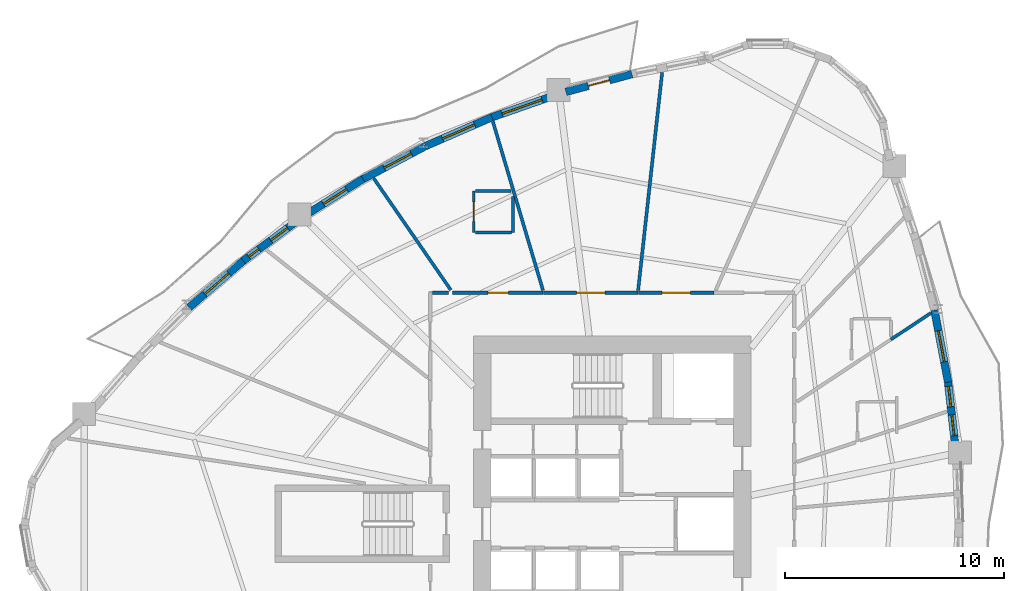
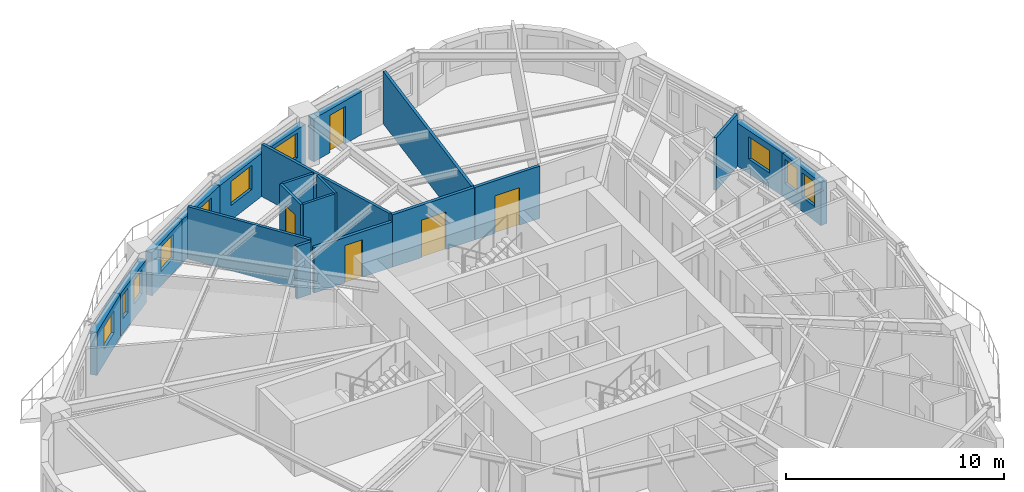
# One storey, part 8 of 13: 21 walls, 10 windows, 5 doors, 15 openings.
"""IFC4 building model written with IfcOpenShell, lengths in metres."""

from ifc_helpers import new_model, si_unit, direction, frame, frame_2d, origin, place, context, subcontext, project, spatial, rectangle, extrude, source, transform, mapped, material, layer, layer_set, type_object, element, fill, save


model = new_model("IFC4")

# Units and contexts
model_context = context("Model", 3, precision=1e-05, world=origin(), true_north=direction((0.0, 1.0)))
body_context = subcontext(model_context, "Body", "Model", "MODEL_VIEW")
ifc_project = project(units=[si_unit("LENGTHUNIT", "METRE"), si_unit("AREAUNIT", "SQUARE_METRE"), si_unit("VOLUMEUNIT", "CUBIC_METRE"), si_unit("PLANEANGLEUNIT", "RADIAN"), si_unit("MASSUNIT", "GRAM", prefix="KILO")], contexts=[model_context])

# Site, building, storey
site_placement = place(None, origin())
site = spatial("IfcSite", under=ifc_project, at=site_placement, CompositionType="ELEMENT")
building_placement = place(site_placement, origin())
building = spatial("IfcBuilding", under=site, at=building_placement, Name="Qafzar Sky-Pleat Residences", CompositionType="ELEMENT")
storey_placement = place(building_placement, frame((0.0, 0.0, 59.0)))
storey = spatial("IfcBuildingStorey", under=building, at=storey_placement, Name="L17", CompositionType="ELEMENT", Elevation=59.0)

# Wall, opening, door
ifc_material_1 = material(Name="Acoustic gypsum plasterboard partition", Category="gypsum")
ifc_layer_1 = layer(ifc_material_1, 0.159912109375)
ifc_layer_set_1 = layer_set([ifc_layer_1], Name="Acoustic gypsum plasterboard partition")
wall_type_1 = type_object("IfcWallType", Name="PART-COR-160", PredefinedType="PARTITIONING", material=ifc_layer_set_1)
wall_1_placement = place(storey_placement, frame((27.19189453125, 36.580078125, 0.0), z_axis=(0.0, 0.0, 1.0), x_axis=(1.0, 0.0, 0.0)))
wall_1 = element("IfcWall", 1, at=wall_1_placement, inside=storey, type_object=wall_type_1, Name="L17 Partition Wall PART-L17-PW-002", PredefinedType="PARTITIONING", context=body_context, shape_type="SweptSolid", body=[
    extrude(rectangle(XDim=4.339111328125, YDim=0.159912109375, at=frame_2d((2.16943359375, 0.0))), origin(), (0.0, 0.0, 1.0), 2.93994140625),
])
opening_1_placement = place(wall_1_placement, frame((1.52001953125, 0.0, 0.0)))
opening_1 = element("IfcOpeningElement", 2, at=opening_1_placement, cuts=wall_1, Name="Opening ID-05", PredefinedType="OPENING", context=body_context, shape_type="SweptSolid", body=[
    extrude(rectangle(XDim=1.300048828125, YDim=2.10009765625, at=frame_2d((0.64990234375, 1.050048828125))), frame((0.0, 0.08984375, 0.0), z_axis=(0.0, -1.0, 0.0), x_axis=(1.0, 0.0, 0.0)), (0.0, 0.0, 1.0), 0.179931640625),
])
ifc_material_2 = material(Name="Timber-faced fire door", Category="wood")
door_type_1 = type_object("IfcDoorType", Name="DR-LNG-1300", OperationType="DOUBLE_DOOR_SINGLE_SWING", PredefinedType="DOOR", material=ifc_material_2)
shared_shape_1 = source(origin(), body_context, "Body", "SweptSolid", [
    extrude(rectangle(XDim=1.300048828125, YDim=2.10009765625, at=frame_2d((0.64990234375, 1.050048828125))), frame((0.0, 0.02490234375, 0.0), z_axis=(0.0, -1.0, 0.0), x_axis=(1.0, 0.0, 0.0)), (0.0, 0.0, 1.0), 0.050048828125),
])
door_1_placement = place(opening_1_placement, origin())
door_1 = element("IfcDoor", 3, at=door_1_placement, inside=storey, type_object=door_type_1, Name="L17 Graduate Lecture Room Door", OperationType="DOUBLE_DOOR_SINGLE_SWING", OverallHeight=2.10009765625, OverallWidth=1.300048828125, PredefinedType="DOOR", context=body_context, shape_type="MappedRepresentation", body=[
    mapped(shared_shape_1, transform((0.0, 0.0, 0.0), x_axis=(1.0, 0.0, 0.0), y_axis=(0.0, 1.0, 0.0), z_axis=(0.0, 0.0, 1.0), scale=1.0)),
])
fill(opening_1, door_1)

wall_2_placement = place(storey_placement, frame((23.02490234375, 36.580078125, 0.0), z_axis=(0.0, 0.0, 1.0), x_axis=(1.0, 0.0, 0.0)))
wall_2 = element("IfcWall", 4, at=wall_2_placement, inside=storey, type_object=wall_type_1, Name="L17 Partition Wall PART-L17-PW-003", PredefinedType="PARTITIONING", context=body_context, shape_type="SweptSolid", body=[
    extrude(rectangle(XDim=4.152099609375, YDim=0.159912109375, at=frame_2d((2.076171875, 0.0))), origin(), (0.0, 0.0, 1.0), 2.548095703125),
])
opening_2_placement = place(wall_2_placement, frame((1.640380859375, 0.0, 0.0)))
opening_2 = element("IfcOpeningElement", 5, at=opening_2_placement, cuts=wall_2, Name="Opening ID-04", PredefinedType="OPENING", context=body_context, shape_type="SweptSolid", body=[
    extrude(rectangle(XDim=0.919921875, YDim=2.10009765625, at=frame_2d((0.4599609375, 1.050048828125))), frame((0.0, 0.08984375, 0.0), z_axis=(0.0, -1.0, 0.0), x_axis=(1.0, 0.0, 0.0)), (0.0, 0.0, 1.0), 0.179931640625),
])
door_type_2 = type_object("IfcDoorType", Name="DR-BED-920", OperationType="NOTDEFINED", PredefinedType="DOOR", material=ifc_material_2)
shared_shape_2 = source(origin(), body_context, "Body", "SweptSolid", [
    extrude(rectangle(XDim=0.919921875, YDim=2.10009765625, at=frame_2d((0.4599609375, 1.050048828125))), frame((0.0, 0.02490234375, 0.0), z_axis=(0.0, -1.0, 0.0), x_axis=(1.0, 0.0, 0.0)), (0.0, 0.0, 1.0), 0.050048828125),
])
door_2_placement = place(opening_2_placement, origin())
door_2 = element("IfcDoor", 6, at=door_2_placement, inside=storey, type_object=door_type_2, Name="L17 Co-Living Bedroom 9 Door", OperationType="SINGLE_SWING_LEFT", OverallHeight=2.10009765625, OverallWidth=0.919921875, PredefinedType="DOOR", context=body_context, shape_type="MappedRepresentation", body=[
    mapped(shared_shape_2, transform((0.0, 0.0, 0.0), x_axis=(1.0, 0.0, 0.0), y_axis=(0.0, 1.0, 0.0), z_axis=(0.0, 0.0, 1.0), scale=1.0)),
])
fill(opening_2, door_2)

wall_3_placement = place(storey_placement, frame((31.5458984375, 36.580078125, 0.0), z_axis=(0.0, 0.0, 1.0), x_axis=(1.0, 0.0, 0.0)))
wall_3 = element("IfcWall", 7, at=wall_3_placement, inside=storey, type_object=wall_type_1, Name="L17 Partition Wall PART-L17-PW-006", PredefinedType="PARTITIONING", context=body_context, shape_type="SweptSolid", body=[
    extrude(rectangle(XDim=3.4501953125, YDim=0.159912109375, at=frame_2d((1.72509765625, 0.0))), origin(), (0.0, 0.0, 1.0), 2.93994140625),
])
opening_3_placement = place(wall_3_placement, frame((1.075439453125, 0.0, 0.0)))
opening_3 = element("IfcOpeningElement", 8, at=opening_3_placement, cuts=wall_3, Name="Opening ID-05", PredefinedType="OPENING", context=body_context, shape_type="SweptSolid", body=[
    extrude(rectangle(XDim=1.300048828125, YDim=2.10009765625, at=frame_2d((0.64990234375, 1.050048828125))), frame((0.0, 0.08984375, 0.0), z_axis=(0.0, -1.0, 0.0), x_axis=(1.0, 0.0, 0.0)), (0.0, 0.0, 1.0), 0.179931640625),
])
door_3_placement = place(opening_3_placement, origin())
door_3 = element("IfcDoor", 9, at=door_3_placement, inside=storey, type_object=door_type_1, Name="L17 Research Conference Room Door", OperationType="DOUBLE_DOOR_SINGLE_SWING", OverallHeight=2.10009765625, OverallWidth=1.300048828125, PredefinedType="DOOR", context=body_context, shape_type="MappedRepresentation", body=[
    mapped(shared_shape_1, transform((0.0, 0.0, 0.0), x_axis=(1.0, 0.0, 0.0), y_axis=(0.0, 1.0, 0.0), z_axis=(0.0, 0.0, 1.0), scale=1.0)),
])
fill(opening_3, door_3)

# Walls
wall_4_placement = place(storey_placement, frame((22.10791015625, 36.580078125, 0.0), z_axis=(0.0, 0.0, 1.0), x_axis=(1.0, 0.0, 0.0)))
element("IfcWall", 10, at=wall_4_placement, inside=storey, type_object=wall_type_1, Name="L17 Partition Wall PART-L17-PW-082", PredefinedType="PARTITIONING", context=body_context, shape_type="SweptSolid", body=[
    extrude(rectangle(XDim=0.750732421875, YDim=0.159912109375, at=frame_2d((0.37548828125, 0.0))), origin(), (0.0, 0.0, 1.0), 2.93994140625),
])
ifc_layer_2 = layer(ifc_material_1, 0.14501953125)
ifc_layer_set_2 = layer_set([ifc_layer_2], Name="Acoustic gypsum plasterboard partition")
wall_type_2 = type_object("IfcWallType", Name="PART-UNIT-145", PredefinedType="PARTITIONING", material=ifc_layer_set_2)
wall_5_placement = place(storey_placement, frame((31.526611328125, 36.67578125, 0.0), z_axis=(0.0, 0.0, 1.0), x_axis=(0.109575491405, 0.993978476469, 0.0)))
element("IfcWall", 11, at=wall_5_placement, inside=storey, type_object=wall_type_2, Name="L17 Partition Wall PART-L17-PW-037", PredefinedType="PARTITIONING", context=body_context, shape_type="SweptSolid", body=[
    extrude(rectangle(XDim=10.048583984375, YDim=0.14501953125, at=frame_2d((5.0244140625, 0.0))), origin(), (0.0, 0.0, 1.0), 2.93994140625),
])
wall_6_placement = place(storey_placement, frame((24.87939453125, 44.42236328125, 0.0), z_axis=(0.0, 0.0, 1.0), x_axis=(0.284634354208, -0.958636158511, 0.0)))
element("IfcWall", 12, at=wall_6_placement, inside=storey, type_object=wall_type_2, Name="L17 Partition Wall PART-L17-PW-043", PredefinedType="PARTITIONING", context=body_context, shape_type="SweptSolid", body=[
    extrude(rectangle(XDim=8.06787109375, YDim=0.14501953125, at=frame_2d((4.033935546875, 0.0))), origin(), (0.0, 0.0, 1.0), 2.93994140625),
])
wall_7_placement = place(storey_placement, frame((19.42333984375, 41.82275390625, 0.0), z_axis=(0.0, 0.0, 1.0), x_axis=(0.568159686118, -0.822918325881, 0.0)))
element("IfcWall", 13, at=wall_7_placement, inside=storey, type_object=wall_type_2, Name="L17 Partition Wall PART-L17-PW-048", PredefinedType="PARTITIONING", context=body_context, shape_type="SweptSolid", body=[
    extrude(rectangle(XDim=6.215576171875, YDim=0.14501953125, at=frame_2d((3.10791015625, 0.0))), origin(), (0.0, 0.0, 1.0), 2.93994140625),
])
wall_8_placement = place(storey_placement, frame((43.093994140625, 34.43896484375, 0.0), z_axis=(0.0, 0.0, 1.0), x_axis=(0.833690342454, 0.552232209219, 0.0)))
element("IfcWall", 14, at=wall_8_placement, inside=storey, type_object=wall_type_2, Name="L17 Partition Wall PART-L17-PW-059", PredefinedType="PARTITIONING", context=body_context, shape_type="SweptSolid", body=[
    extrude(rectangle(XDim=2.193603515625, YDim=0.14501953125, at=frame_2d((1.0966796875, 0.0))), origin(), (0.0, 0.0, 1.0), 2.93994140625),
])

# Wall, opening, door
ifc_material_3 = material(Name="Moisture-resistant gypsum partition", Category="gypsum")
ifc_layer_3 = layer(ifc_material_3, 0.1298828125)
ifc_layer_set_3 = layer_set([ifc_layer_3], Name="Moisture-resistant gypsum partition")
wall_type_3 = type_object("IfcWallType", Name="PART-WET-130", PredefinedType="PARTITIONING", material=ifc_layer_set_3)
wall_9_placement = place(storey_placement, frame((24.0029296875, 41.23388671875, 0.0), z_axis=(0.0, 0.0, 1.0), x_axis=(0.0, -1.0, 0.0)))
wall_9 = element("IfcWall", 15, at=wall_9_placement, inside=storey, type_object=wall_type_3, Name="L17 Partition Wall PART-L17-PW-024", PredefinedType="PARTITIONING", context=body_context, shape_type="SweptSolid", body=[
    extrude(rectangle(XDim=1.89990234375, YDim=0.1298828125, at=frame_2d((0.949951171875, 0.0))), origin(), (0.0, 0.0, 1.0), 2.93994140625),
])
opening_4_placement = place(wall_9_placement, frame((0.510009765625, 0.0, 0.0)))
opening_4 = element("IfcOpeningElement", 16, at=opening_4_placement, cuts=wall_9, Name="Opening ID-07", PredefinedType="OPENING", context=body_context, shape_type="SweptSolid", body=[
    extrude(rectangle(XDim=0.8798828125, YDim=2.050048828125, at=frame_2d((0.43994140625, 1.02490234375))), frame((0.0, 0.074951171875, 0.0), z_axis=(0.0, -1.0, 0.0), x_axis=(1.0, 0.0, 0.0)), (0.0, 0.0, 1.0), 0.14990234375),
])
door_type_3 = type_object("IfcDoorType", Name="DR-WET-880", OperationType="NOTDEFINED", PredefinedType="DOOR", material=ifc_material_2)
shared_shape_3 = source(origin(), body_context, "Body", "SweptSolid", [
    extrude(rectangle(XDim=0.8798828125, YDim=2.050048828125, at=frame_2d((0.43994140625, 1.02490234375))), frame((0.0, 0.02490234375, 0.0), z_axis=(0.0, -1.0, 0.0), x_axis=(1.0, 0.0, 0.0)), (0.0, 0.0, 1.0), 0.050048828125),
])
door_4_placement = place(opening_4_placement, origin())
door_4 = element("IfcDoor", 17, at=door_4_placement, inside=storey, type_object=door_type_3, Name="L17 En-suite Bathroom 9 Door", OperationType="SINGLE_SWING_RIGHT", OverallHeight=2.050048828125, OverallWidth=0.8798828125, PredefinedType="DOOR", context=body_context, shape_type="MappedRepresentation", body=[
    mapped(shared_shape_3, transform((0.0, 0.0, 0.0), x_axis=(1.0, 0.0, 0.0), y_axis=(0.0, 1.0, 0.0), z_axis=(0.0, 0.0, 1.0), scale=1.0)),
])
fill(opening_4, door_4)

# Walls
wall_10_placement = place(storey_placement, frame((25.802978515625, 39.333984375, 0.0), z_axis=(0.0, 0.0, 1.0), x_axis=(0.0, 1.0, 0.0)))
element("IfcWall", 18, at=wall_10_placement, inside=storey, type_object=wall_type_3, Name="L17 Partition Wall PART-L17-PW-061", PredefinedType="PARTITIONING", context=body_context, shape_type="SweptSolid", body=[
    extrude(rectangle(XDim=1.659912109375, YDim=0.1298828125, at=frame_2d((0.830078125, 0.0))), origin(), (0.0, 0.0, 1.0), 2.93994140625),
])
wall_11_placement = place(storey_placement, frame((24.075927734375, 41.23388671875, 0.0), z_axis=(0.0, 0.0, 1.0), x_axis=(1.0, 0.0, 0.0)))
element("IfcWall", 19, at=wall_11_placement, inside=storey, type_object=wall_type_3, Name="L17 Partition Wall PART-L17-PW-066", PredefinedType="PARTITIONING", context=body_context, shape_type="SweptSolid", body=[
    extrude(rectangle(XDim=1.624267578125, YDim=0.1298828125, at=frame_2d((0.81201171875, 0.0))), origin(), (0.0, 0.0, 1.0), 2.93994140625),
])
wall_12_placement = place(storey_placement, frame((24.075927734375, 39.333984375, 0.0), z_axis=(0.0, 0.0, 1.0), x_axis=(1.0, 0.0, 0.0)))
element("IfcWall", 20, at=wall_12_placement, inside=storey, type_object=wall_type_3, Name="L17 Partition Wall PART-L17-PW-067", PredefinedType="PARTITIONING", context=body_context, shape_type="SweptSolid", body=[
    extrude(rectangle(XDim=1.654052734375, YDim=0.1298828125, at=frame_2d((0.8271484375, 0.0))), origin(), (0.0, 0.0, 1.0), 2.93994140625),
])

# Wall, openings, windows
ifc_material_4 = material(Name="Precast concrete C40/50 with honed Riyadh limestone", Category="concrete")
ifc_layer_4 = layer(ifc_material_4, 0.35009765625)
ifc_layer_set_4 = layer_set([ifc_layer_4], Name="Precast concrete C40/50 with honed Riyadh limestone")
wall_type_4 = type_object("IfcWallType", Name="WALL-EXT-350", PredefinedType="SOLIDWALL", material=ifc_layer_set_4)
wall_13_placement = place(storey_placement, frame((46.044189453125, 29.55615234375, 0.0), z_axis=(0.0, 0.0, 1.0), x_axis=(-0.113263196818, 0.993565019637, 0.0)))
wall_13 = element("IfcWall", 21, at=wall_13_placement, inside=storey, type_object=wall_type_4, Name="L17 Limestone Facade Wall 29", PredefinedType="SOLIDWALL", context=body_context, shape_type="SweptSolid", body=[
    extrude(rectangle(XDim=3.037109375, YDim=0.35009765625, at=frame_2d((1.5185546875, 0.0))), origin(), (0.0, 0.0, 1.0), 2.419921875),
])
opening_5_placement = place(wall_13_placement, frame((0.492431640625, 0.0, 0.820068359375)))
opening_5 = element("IfcOpeningElement", 22, at=opening_5_placement, cuts=wall_13, Name="Opening WN-12", PredefinedType="OPENING", context=body_context, shape_type="SweptSolid", body=[
    extrude(rectangle(XDim=0.949951171875, YDim=1.35009765625, at=frame_2d((0.47509765625, 0.675048828125))), frame((0.0, 0.18505859375, 0.0), z_axis=(0.0, -1.0, 0.0), x_axis=(1.0, 0.0, 0.0)), (0.0, 0.0, 1.0), 0.3701171875),
])
opening_6_placement = place(wall_13_placement, frame((1.816162109375, 0.0, 0.820068359375)))
opening_6 = element("IfcOpeningElement", 23, at=opening_6_placement, cuts=wall_13, Name="Opening WN-12", PredefinedType="OPENING", context=body_context, shape_type="SweptSolid", body=[
    extrude(rectangle(XDim=0.949951171875, YDim=1.35009765625, at=frame_2d((0.47509765625, 0.675048828125))), frame((0.0, 0.18505859375, 0.0), z_axis=(0.0, -1.0, 0.0), x_axis=(1.0, 0.0, 0.0)), (0.0, 0.0, 1.0), 0.3701171875),
])
ifc_material_5 = material(Name="Solar-control low-E glass in bronze aluminium frame", Category="glass")
window_type_1 = type_object("IfcWindowType", Name="WIN-12", PartitioningType="SINGLE_PANEL", PredefinedType="WINDOW", material=ifc_material_5)
shared_shape_4 = source(origin(), body_context, "Body", "SweptSolid", [
    extrude(rectangle(XDim=0.949951171875, YDim=1.35009765625, at=frame_2d((0.47509765625, 0.675048828125))), frame((0.0, 0.030029296875, 0.0), z_axis=(0.0, -1.0, 0.0), x_axis=(1.0, 0.0, 0.0)), (0.0, 0.0, 1.0), 0.06005859375),
])
window_1_placement = place(opening_5_placement, origin())
window_1 = element("IfcWindow", 24, at=window_1_placement, inside=storey, type_object=window_type_1, Name="L17 Punched Facade Window 29", OverallHeight=1.35009765625, OverallWidth=0.949951171875, PartitioningType="SINGLE_PANEL", PredefinedType="WINDOW", context=body_context, shape_type="MappedRepresentation", body=[
    mapped(shared_shape_4, transform((0.0, 0.0, 0.0), x_axis=(1.0, 0.0, 0.0), y_axis=(0.0, 1.0, 0.0), z_axis=(0.0, 0.0, 1.0), scale=1.0)),
])
fill(opening_5, window_1)
window_2_placement = place(opening_6_placement, origin())
window_2 = element("IfcWindow", 25, at=window_2_placement, inside=storey, type_object=window_type_1, Name="L17 Punched Facade Window 29-2", OverallHeight=1.35009765625, OverallWidth=0.949951171875, PartitioningType="SINGLE_PANEL", PredefinedType="WINDOW", context=body_context, shape_type="MappedRepresentation", body=[
    mapped(shared_shape_4, transform((0.0, 0.0, 0.0), x_axis=(1.0, 0.0, 0.0), y_axis=(0.0, 1.0, 0.0), z_axis=(0.0, 0.0, 1.0), scale=1.0)),
])
fill(opening_6, window_2)

# Wall, opening, window
wall_14_placement = place(storey_placement, frame((45.71337890625, 32.48583984375, 0.0), z_axis=(0.0, 0.0, 1.0), x_axis=(-0.186603748992, 0.982435260392, 0.0)))
wall_14 = element("IfcWall", 26, at=wall_14_placement, inside=storey, type_object=wall_type_4, Name="L17 Limestone Facade Wall 30", PredefinedType="SOLIDWALL", context=body_context, shape_type="SweptSolid", body=[
    extrude(rectangle(XDim=3.3544921875, YDim=0.35009765625, at=frame_2d((1.67724609375, 0.0))), origin(), (0.0, 0.0, 1.0), 2.419921875),
])
opening_7_placement = place(wall_14_placement, frame((0.94775390625, 0.0, 0.820068359375)))
opening_7 = element("IfcOpeningElement", 27, at=opening_7_placement, cuts=wall_14, Name="Opening WN-15", PredefinedType="OPENING", context=body_context, shape_type="SweptSolid", body=[
    extrude(rectangle(XDim=1.449951171875, YDim=1.25, at=frame_2d((0.72509765625, 0.625))), frame((0.0, 0.18505859375, 0.0), z_axis=(0.0, -1.0, 0.0), x_axis=(1.0, 0.0, 0.0)), (0.0, 0.0, 1.0), 0.3701171875),
])
window_type_2 = type_object("IfcWindowType", Name="WIN-15", PartitioningType="SINGLE_PANEL", PredefinedType="WINDOW", material=ifc_material_5)
shared_shape_5 = source(origin(), body_context, "Body", "SweptSolid", [
    extrude(rectangle(XDim=1.449951171875, YDim=1.25, at=frame_2d((0.72509765625, 0.625))), frame((0.0, 0.030029296875, 0.0), z_axis=(0.0, -1.0, 0.0), x_axis=(1.0, 0.0, 0.0)), (0.0, 0.0, 1.0), 0.06005859375),
])
window_3_placement = place(opening_7_placement, origin())
window_3 = element("IfcWindow", 28, at=window_3_placement, inside=storey, type_object=window_type_2, Name="L17 Punched Facade Window 30", OverallHeight=1.25, OverallWidth=1.449951171875, PartitioningType="SINGLE_PANEL", PredefinedType="WINDOW", context=body_context, shape_type="MappedRepresentation", body=[
    mapped(shared_shape_5, transform((0.0, 0.0, 0.0), x_axis=(1.0, 0.0, 0.0), y_axis=(0.0, 1.0, 0.0), z_axis=(0.0, 0.0, 1.0), scale=1.0)),
])
fill(opening_7, window_3)

# Wall, opening, door
wall_15_placement = place(storey_placement, frame((31.24560546875, 46.585205078125, 0.0), z_axis=(0.0, 0.0, 1.0), x_axis=(-0.965469506164, -0.260516089076, 0.0)))
wall_15 = element("IfcWall", 29, at=wall_15_placement, inside=storey, type_object=wall_type_4, Name="L17 Limestone Facade Wall 40", PredefinedType="SOLIDWALL", context=body_context, shape_type="SweptSolid", body=[
    extrude(rectangle(XDim=3.130126953125, YDim=0.35009765625, at=frame_2d((1.56494140625, 0.0))), origin(), (0.0, 0.0, 1.0), 2.419921875),
])
opening_8_placement = place(wall_15_placement, frame((1.06494140625, 0.0, 0.0)))
opening_8 = element("IfcOpeningElement", 30, at=opening_8_placement, cuts=wall_15, Name="Opening ED-05", PredefinedType="OPENING", context=body_context, shape_type="SweptSolid", body=[
    extrude(rectangle(XDim=1.0, YDim=2.10009765625, at=frame_2d((0.5, 1.050048828125))), frame((0.0, 0.18505859375, 0.0), z_axis=(0.0, -1.0, 0.0), x_axis=(1.0, 0.0, 0.0)), (0.0, 0.0, 1.0), 0.3701171875),
])
ifc_material_6 = material(Name="Glazed bronze aluminium door", Category="aluminium")
door_type_4 = type_object("IfcDoorType", Name="DR-BAL-1000", OperationType="NOTDEFINED", PredefinedType="DOOR", material=ifc_material_6)
shared_shape_6 = source(origin(), body_context, "Body", "SweptSolid", [
    extrude(rectangle(XDim=1.0, YDim=2.10009765625, at=frame_2d((0.5, 1.050048828125))), frame((0.0, 0.02490234375, 0.0), z_axis=(0.0, -1.0, 0.0), x_axis=(1.0, 0.0, 0.0)), (0.0, 0.0, 1.0), 0.050048828125),
])
door_5_placement = place(opening_8_placement, origin())
door_5 = element("IfcDoor", 31, at=door_5_placement, inside=storey, type_object=door_type_4, Name="L17 Glazed Balcony Door 2", OperationType="SINGLE_SWING_LEFT", OverallHeight=2.10009765625, OverallWidth=1.0, PredefinedType="DOOR", context=body_context, shape_type="MappedRepresentation", body=[
    mapped(shared_shape_6, transform((0.0, 0.0, 0.0), x_axis=(1.0, 0.0, 0.0), y_axis=(0.0, 1.0, 0.0), z_axis=(0.0, 0.0, 1.0), scale=1.0)),
])
fill(opening_8, door_5)

# Wall, opening, window
wall_16_placement = place(storey_placement, frame((27.662841796875, 45.596435546875, 0.0), z_axis=(0.0, 0.0, 1.0), x_axis=(-0.944134113087, -0.329561491236, 0.0)))
wall_16 = element("IfcWall", 32, at=wall_16_placement, inside=storey, type_object=wall_type_4, Name="L17 Limestone Facade Wall 41", PredefinedType="SOLIDWALL", context=body_context, shape_type="SweptSolid", body=[
    extrude(rectangle(XDim=3.07421875, YDim=0.35009765625, at=frame_2d((1.537109375, 0.0))), origin(), (0.0, 0.0, 1.0), 2.419921875),
])
opening_9_placement = place(wall_16_placement, frame((0.557373046875, 0.0, 0.820068359375)))
opening_9 = element("IfcOpeningElement", 33, at=opening_9_placement, cuts=wall_16, Name="Opening WN-08", PredefinedType="OPENING", context=body_context, shape_type="SweptSolid", body=[
    extrude(rectangle(XDim=1.949951171875, YDim=1.39990234375, at=frame_2d((0.97509765625, 0.699951171875))), frame((0.0, 0.18505859375, 0.0), z_axis=(0.0, -1.0, 0.0), x_axis=(1.0, 0.0, 0.0)), (0.0, 0.0, 1.0), 0.3701171875),
])
window_type_3 = type_object("IfcWindowType", Name="WIN-08", PartitioningType="DOUBLE_PANEL_VERTICAL", PredefinedType="WINDOW", material=ifc_material_5)
shared_shape_7 = source(origin(), body_context, "Body", "SweptSolid", [
    extrude(rectangle(XDim=1.949951171875, YDim=1.39990234375, at=frame_2d((0.97509765625, 0.699951171875))), frame((0.0, 0.030029296875, 0.0), z_axis=(0.0, -1.0, 0.0), x_axis=(1.0, 0.0, 0.0)), (0.0, 0.0, 1.0), 0.06005859375),
])
window_4_placement = place(opening_9_placement, origin())
window_4 = element("IfcWindow", 34, at=window_4_placement, inside=storey, type_object=window_type_3, Name="L17 Punched Facade Window 41", OverallHeight=1.39990234375, OverallWidth=1.949951171875, PartitioningType="SINGLE_PANEL", PredefinedType="WINDOW", context=body_context, shape_type="MappedRepresentation", body=[
    mapped(shared_shape_7, transform((0.0, 0.0, 0.0), x_axis=(1.0, 0.0, 0.0), y_axis=(0.0, 1.0, 0.0), z_axis=(0.0, 0.0, 1.0), scale=1.0)),
])
fill(opening_9, window_4)

wall_17_placement = place(storey_placement, frame((24.843017578125, 44.615478515625, 0.0), z_axis=(0.0, 0.0, 1.0), x_axis=(-0.917119193404, -0.398613076918, 0.0)))
wall_17 = element("IfcWall", 35, at=wall_17_placement, inside=storey, type_object=wall_type_4, Name="L17 Limestone Facade Wall 42", PredefinedType="SOLIDWALL", context=body_context, shape_type="SweptSolid", body=[
    extrude(rectangle(XDim=3.317138671875, YDim=0.35009765625, at=frame_2d((1.65869140625, 0.0))), origin(), (0.0, 0.0, 1.0), 2.419921875),
])
opening_10_placement = place(wall_17_placement, frame((0.86865234375, 0.0, 0.820068359375)))
opening_10 = element("IfcOpeningElement", 36, at=opening_10_placement, cuts=wall_17, Name="Opening WN-09", PredefinedType="OPENING", context=body_context, shape_type="SweptSolid", body=[
    extrude(rectangle(XDim=1.60009765625, YDim=1.35009765625, at=frame_2d((0.800048828125, 0.675048828125))), frame((0.0, 0.18505859375, 0.0), z_axis=(0.0, -1.0, 0.0), x_axis=(1.0, 0.0, 0.0)), (0.0, 0.0, 1.0), 0.3701171875),
])
window_type_4 = type_object("IfcWindowType", Name="WIN-09", PartitioningType="DOUBLE_PANEL_VERTICAL", PredefinedType="WINDOW", material=ifc_material_5)
shared_shape_8 = source(origin(), body_context, "Body", "SweptSolid", [
    extrude(rectangle(XDim=1.60009765625, YDim=1.35009765625, at=frame_2d((0.800048828125, 0.675048828125))), frame((0.0, 0.030029296875, 0.0), z_axis=(0.0, -1.0, 0.0), x_axis=(1.0, 0.0, 0.0)), (0.0, 0.0, 1.0), 0.06005859375),
])
window_5_placement = place(opening_10_placement, origin())
window_5 = element("IfcWindow", 37, at=window_5_placement, inside=storey, type_object=window_type_4, Name="L17 Punched Facade Window 42", OverallHeight=1.35009765625, OverallWidth=1.60009765625, PartitioningType="SINGLE_PANEL", PredefinedType="WINDOW", context=body_context, shape_type="MappedRepresentation", body=[
    mapped(shared_shape_8, transform((0.0, 0.0, 0.0), x_axis=(1.0, 0.0, 0.0), y_axis=(0.0, 1.0, 0.0), z_axis=(0.0, 0.0, 1.0), scale=1.0)),
])
fill(opening_10, window_5)

wall_18_placement = place(storey_placement, frame((21.77685546875, 43.281494140625, 0.0), z_axis=(0.0, 0.0, 1.0), x_axis=(-0.884381357857, -0.466765052113, 0.0)))
wall_18 = element("IfcWall", 38, at=wall_18_placement, inside=storey, type_object=wall_type_4, Name="L17 Limestone Facade Wall 43", PredefinedType="SOLIDWALL", context=body_context, shape_type="SweptSolid", body=[
    extrude(rectangle(XDim=3.29833984375, YDim=0.35009765625, at=frame_2d((1.649169921875, 0.0))), origin(), (0.0, 0.0, 1.0), 2.419921875),
])
opening_11_placement = place(wall_18_placement, frame((0.712646484375, 0.0, 0.820068359375)))
opening_11 = element("IfcOpeningElement", 39, at=opening_11_placement, cuts=wall_18, Name="Opening WN-10", PredefinedType="OPENING", context=body_context, shape_type="SweptSolid", body=[
    extrude(rectangle(XDim=1.39990234375, YDim=1.35009765625, at=frame_2d((0.699951171875, 0.675048828125))), frame((0.0, 0.18505859375, 0.0), z_axis=(0.0, -1.0, 0.0), x_axis=(1.0, 0.0, 0.0)), (0.0, 0.0, 1.0), 0.3701171875),
])
window_type_5 = type_object("IfcWindowType", Name="WIN-10", PartitioningType="SINGLE_PANEL", PredefinedType="WINDOW", material=ifc_material_5)
shared_shape_9 = source(origin(), body_context, "Body", "SweptSolid", [
    extrude(rectangle(XDim=1.39990234375, YDim=1.35009765625, at=frame_2d((0.699951171875, 0.675048828125))), frame((0.0, 0.030029296875, 0.0), z_axis=(0.0, -1.0, 0.0), x_axis=(1.0, 0.0, 0.0)), (0.0, 0.0, 1.0), 0.06005859375),
])
window_6_placement = place(opening_11_placement, origin())
window_6 = element("IfcWindow", 40, at=window_6_placement, inside=storey, type_object=window_type_5, Name="L17 Punched Facade Window 43", OverallHeight=1.35009765625, OverallWidth=1.39990234375, PartitioningType="SINGLE_PANEL", PredefinedType="WINDOW", context=body_context, shape_type="MappedRepresentation", body=[
    mapped(shared_shape_9, transform((0.0, 0.0, 0.0), x_axis=(1.0, 0.0, 0.0), y_axis=(0.0, 1.0, 0.0), z_axis=(0.0, 0.0, 1.0), scale=1.0)),
])
fill(opening_11, window_6)

wall_19_placement = place(storey_placement, frame((18.93701171875, 41.78662109375, 0.0), z_axis=(0.0, 0.0, 1.0), x_axis=(-0.84639489148, -0.532555807101, 0.0)))
wall_19 = element("IfcWall", 41, at=wall_19_placement, inside=storey, type_object=wall_type_4, Name="L17 Limestone Facade Wall 44", PredefinedType="SOLIDWALL", context=body_context, shape_type="SweptSolid", body=[
    extrude(rectangle(XDim=3.018310546875, YDim=0.35009765625, at=frame_2d((1.50927734375, 0.0))), origin(), (0.0, 0.0, 1.0), 2.419921875),
])
opening_12_placement = place(wall_19_placement, frame((0.88916015625, 0.0, 0.820068359375)))
opening_12 = element("IfcOpeningElement", 42, at=opening_12_placement, cuts=wall_19, Name="Opening WN-11", PredefinedType="OPENING", context=body_context, shape_type="SweptSolid", body=[
    extrude(rectangle(XDim=1.25, YDim=1.35009765625, at=frame_2d((0.625, 0.675048828125))), frame((0.0, 0.18505859375, 0.0), z_axis=(0.0, -1.0, 0.0), x_axis=(1.0, 0.0, 0.0)), (0.0, 0.0, 1.0), 0.3701171875),
])
window_type_6 = type_object("IfcWindowType", Name="WIN-11", PartitioningType="SINGLE_PANEL", PredefinedType="WINDOW", material=ifc_material_5)
shared_shape_10 = source(origin(), body_context, "Body", "SweptSolid", [
    extrude(rectangle(XDim=1.25, YDim=1.35009765625, at=frame_2d((0.625, 0.675048828125))), frame((0.0, 0.030029296875, 0.0), z_axis=(0.0, -1.0, 0.0), x_axis=(1.0, 0.0, 0.0)), (0.0, 0.0, 1.0), 0.06005859375),
])
window_7_placement = place(opening_12_placement, origin())
window_7 = element("IfcWindow", 43, at=window_7_placement, inside=storey, type_object=window_type_6, Name="L17 Punched Facade Window 44", OverallHeight=1.35009765625, OverallWidth=1.25, PartitioningType="SINGLE_PANEL", PredefinedType="WINDOW", context=body_context, shape_type="MappedRepresentation", body=[
    mapped(shared_shape_10, transform((0.0, 0.0, 0.0), x_axis=(1.0, 0.0, 0.0), y_axis=(0.0, 1.0, 0.0), z_axis=(0.0, 0.0, 1.0), scale=1.0)),
])
fill(opening_12, window_7)

# Wall, openings, windows
wall_20_placement = place(storey_placement, frame((15.898193359375, 39.8486328125, 0.0), z_axis=(0.0, 0.0, 1.0), x_axis=(-0.803775013519, -0.594933380844, 0.0)))
wall_20 = element("IfcWall", 44, at=wall_20_placement, inside=storey, type_object=wall_type_4, Name="L17 Limestone Facade Wall 45", PredefinedType="SOLIDWALL", context=body_context, shape_type="SweptSolid", body=[
    extrude(rectangle(XDim=3.037109375, YDim=0.35009765625, at=frame_2d((1.5185546875, 0.0))), origin(), (0.0, 0.0, 1.0), 2.419921875),
])
opening_13_placement = place(wall_20_placement, frame((0.51318359375, 0.0, 0.820068359375)))
opening_13 = element("IfcOpeningElement", 45, at=opening_13_placement, cuts=wall_20, Name="Opening WN-12", PredefinedType="OPENING", context=body_context, shape_type="SweptSolid", body=[
    extrude(rectangle(XDim=0.949951171875, YDim=1.35009765625, at=frame_2d((0.47509765625, 0.675048828125))), frame((0.0, 0.18505859375, 0.0), z_axis=(0.0, -1.0, 0.0), x_axis=(1.0, 0.0, 0.0)), (0.0, 0.0, 1.0), 0.3701171875),
])
opening_14_placement = place(wall_20_placement, frame((2.141845703125, 0.0, 0.820068359375)))
opening_14 = element("IfcOpeningElement", 46, at=opening_14_placement, cuts=wall_20, Name="Opening WN-17", PredefinedType="OPENING", context=body_context, shape_type="SweptSolid", body=[
    extrude(rectangle(XDim=0.580078125, YDim=1.35009765625, at=frame_2d((0.2900390625, 0.675048828125))), frame((0.0, 0.18505859375, 0.0), z_axis=(0.0, -1.0, 0.0), x_axis=(1.0, 0.0, 0.0)), (0.0, 0.0, 1.0), 0.3701171875),
])
window_8_placement = place(opening_13_placement, origin())
window_8 = element("IfcWindow", 47, at=window_8_placement, inside=storey, type_object=window_type_1, Name="L17 Punched Facade Window 45", OverallHeight=1.35009765625, OverallWidth=0.949951171875, PartitioningType="SINGLE_PANEL", PredefinedType="WINDOW", context=body_context, shape_type="MappedRepresentation", body=[
    mapped(shared_shape_4, transform((0.0, 0.0, 0.0), x_axis=(1.0, 0.0, 0.0), y_axis=(0.0, 1.0, 0.0), z_axis=(0.0, 0.0, 1.0), scale=1.0)),
])
fill(opening_13, window_8)
window_type_7 = type_object("IfcWindowType", Name="WIN-17", PartitioningType="SINGLE_PANEL", PredefinedType="WINDOW", material=ifc_material_5)
shared_shape_11 = source(origin(), body_context, "Body", "SweptSolid", [
    extrude(rectangle(XDim=0.580078125, YDim=1.35009765625, at=frame_2d((0.2900390625, 0.675048828125))), frame((0.0, 0.030029296875, 0.0), z_axis=(0.0, -1.0, 0.0), x_axis=(1.0, 0.0, 0.0)), (0.0, 0.0, 1.0), 0.06005859375),
])
window_9_placement = place(opening_14_placement, origin())
window_9 = element("IfcWindow", 48, at=window_9_placement, inside=storey, type_object=window_type_7, Name="L17 Punched Facade Window 45-2", OverallHeight=1.35009765625, OverallWidth=0.580078125, PartitioningType="SINGLE_PANEL", PredefinedType="WINDOW", context=body_context, shape_type="MappedRepresentation", body=[
    mapped(shared_shape_11, transform((0.0, 0.0, 0.0), x_axis=(1.0, 0.0, 0.0), y_axis=(0.0, 1.0, 0.0), z_axis=(0.0, 0.0, 1.0), scale=1.0)),
])
fill(opening_14, window_9)

# Wall, opening, window
wall_21_placement = place(storey_placement, frame((13.5263671875, 38.097412109375, 0.0), z_axis=(0.0, 0.0, 1.0), x_axis=(-0.757460843483, -0.652880594435, 0.0)))
wall_21 = element("IfcWall", 49, at=wall_21_placement, inside=storey, type_object=wall_type_4, Name="L17 Limestone Facade Wall 46", PredefinedType="SOLIDWALL", context=body_context, shape_type="SweptSolid", body=[
    extrude(rectangle(XDim=3.354736328125, YDim=0.35009765625, at=frame_2d((1.67724609375, 0.0))), origin(), (0.0, 0.0, 1.0), 2.419921875),
])
opening_15_placement = place(wall_21_placement, frame((0.96240234375, 0.0, 0.820068359375)))
opening_15 = element("IfcOpeningElement", 50, at=opening_15_placement, cuts=wall_21, Name="Opening WN-15", PredefinedType="OPENING", context=body_context, shape_type="SweptSolid", body=[
    extrude(rectangle(XDim=1.449951171875, YDim=1.25, at=frame_2d((0.72509765625, 0.625))), frame((0.0, 0.18505859375, 0.0), z_axis=(0.0, -1.0, 0.0), x_axis=(1.0, 0.0, 0.0)), (0.0, 0.0, 1.0), 0.3701171875),
])
window_10_placement = place(opening_15_placement, origin())
window_10 = element("IfcWindow", 51, at=window_10_placement, inside=storey, type_object=window_type_2, Name="L17 Punched Facade Window 46", OverallHeight=1.25, OverallWidth=1.449951171875, PartitioningType="SINGLE_PANEL", PredefinedType="WINDOW", context=body_context, shape_type="MappedRepresentation", body=[
    mapped(shared_shape_5, transform((0.0, 0.0, 0.0), x_axis=(1.0, 0.0, 0.0), y_axis=(0.0, 1.0, 0.0), z_axis=(0.0, 0.0, 1.0), scale=1.0)),
])
fill(opening_15, window_10)

save(model, "model.ifc")
